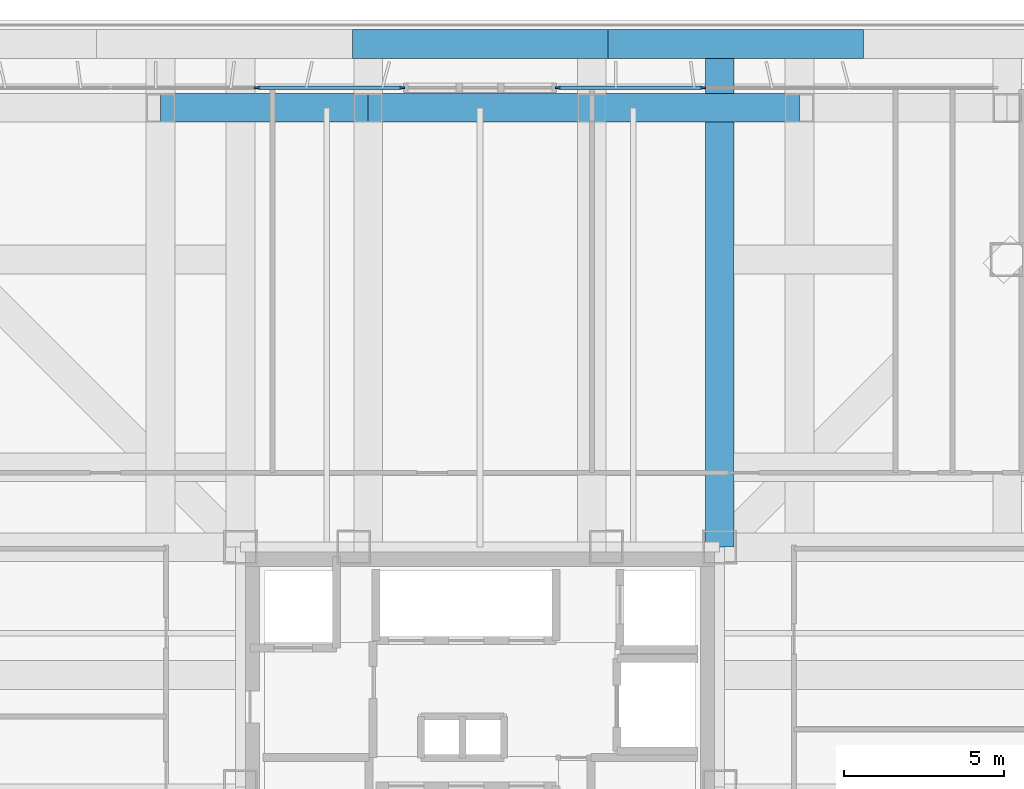
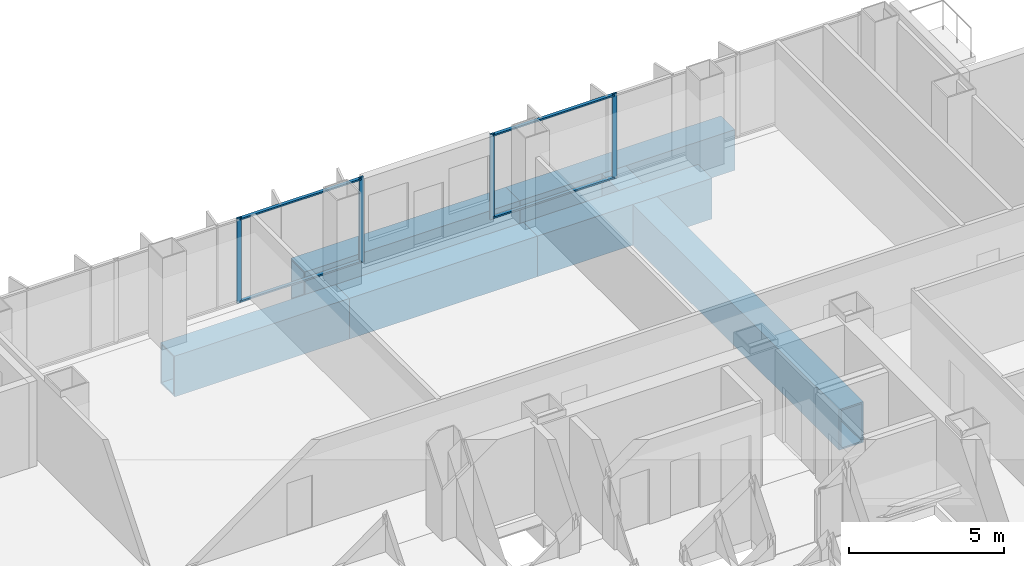
# One storey, part 9 of 17: 8 members, 6 beams, 2 elements without a shape of their own.
"""IFC4 building model written with IfcOpenShell, lengths in metres."""

import ifcopenshell
import ifcopenshell.guid

model = None  # the IFC model being written
_history = None  # IfcOwnerHistory: only IFC2X3 demands one
_inside = {}  # id of a spatial element -> (the spatial element, [elements in it])
_under = {}  # id of a project, library or spatial element -> (it, [spatial elements below it])
_declared = {}  # id of a project -> (the project, [libraries it declares])
_typed = {}  # id of a type object -> (the type object, [elements of that type])
_made_of = {}  # id of a material, layer set ... -> (it, [elements and type objects made of it])


def new_model(schema):
    """Start an empty IFC model of exactly this schema.

    Asked for "IFC4X3", IfcOpenShell would pick the latest addendum, in which some entities
    have other attributes; the version numbers below select the first issue.
    IFC2X3 requires an IfcOwnerHistory on every rooted entity: one is made here for all.
    """
    global model, _history
    if schema == "IFC4X3":
        model = ifcopenshell.file(schema_version=(4, 3, 0, 0))
    else:
        model = ifcopenshell.file(schema=schema)
    _inside.clear()
    _under.clear()
    _declared.clear()
    _typed.clear()
    _made_of.clear()
    _history = None
    if model.schema == "IFC2X3":
        org = make("IfcOrganization", Name="unknown")
        user = make(
            "IfcPersonAndOrganization",
            ThePerson=make("IfcPerson", FamilyName="unknown"),
            TheOrganization=org,
        )
        app = make(
            "IfcApplication",
            ApplicationDeveloper=org,
            Version="unknown",
            ApplicationFullName="unknown",
            ApplicationIdentifier="unknown",
        )
        _history = make(
            "IfcOwnerHistory",
            OwningUser=user,
            OwningApplication=app,
            ChangeAction="ADDED",
            CreationDate=0,
        )
    return model


def make(cls, **values):
    """One entity of the class cls with the attributes given. An attribute that is None is left unset."""
    return model.create_entity(
        cls, **{name: value for name, value in values.items() if value is not None}
    )


def rooted(cls, **values):
    """An entity with a GlobalId (a new one), such as an element, a storey or a relation."""
    return make(cls, GlobalId=ifcopenshell.guid.new(), OwnerHistory=_history, **values)


def si_unit(unit_type, name, prefix=None):
    """IfcSIUnit, for example si_unit("LENGTHUNIT", "METRE", prefix="MILLI")."""
    return make("IfcSIUnit", UnitType=unit_type, Prefix=prefix, Name=name)


def assignment(units):
    """IfcUnitAssignment: the units of a project."""
    return None if units is None else make("IfcUnitAssignment", Units=units)


def point(xyz):
    """IfcCartesianPoint."""
    return None if xyz is None else make("IfcCartesianPoint", Coordinates=xyz)


def direction(xyz):
    """IfcDirection."""
    return None if xyz is None else make("IfcDirection", DirectionRatios=xyz)


def frame(location, z_axis=None, x_axis=None):
    """IfcAxis2Placement3D, a coordinate frame: its origin and axes. An axis left out is left unset."""
    return make(
        "IfcAxis2Placement3D",
        Location=point(location),
        Axis=direction(z_axis),
        RefDirection=direction(x_axis),
    )


def frame_2d(location, x_axis=None):
    """IfcAxis2Placement2D, a coordinate frame in the plane: its origin and x axis."""
    return make(
        "IfcAxis2Placement2D", Location=point(location), RefDirection=direction(x_axis)
    )


def origin():
    """The frame at (0, 0, 0) with its axes left unset."""
    return frame((0.0, 0.0, 0.0))


def origin_2d():
    """The frame at (0, 0) in the plane with its x axis left unset."""
    return frame_2d((0.0, 0.0))


def place(relative_to, where):
    """IfcLocalPlacement: puts the frame where relative to a parent placement (None: the world)."""
    return make(
        "IfcLocalPlacement", PlacementRelTo=relative_to, RelativePlacement=where
    )


def context(
    kind, dimensions, precision=None, world=None, true_north=None, identifier=None
):
    """IfcGeometricRepresentationContext, for example the 3D "Model" context."""
    return make(
        "IfcGeometricRepresentationContext",
        ContextIdentifier=identifier,
        ContextType=kind,
        CoordinateSpaceDimension=dimensions,
        Precision=precision,
        WorldCoordinateSystem=world,
        TrueNorth=true_north,
    )


def subcontext(parent, identifier, kind, view, scale=None):
    """IfcGeometricRepresentationSubContext, for example "Body" below "Model"."""
    return make(
        "IfcGeometricRepresentationSubContext",
        ContextIdentifier=identifier,
        ContextType=kind,
        ParentContext=parent,
        TargetScale=scale,
        TargetView=view,
    )


def project(units=None, contexts=None):
    """IfcProject with its units and contexts."""
    return rooted(
        "IfcProject",
        Name="project",
        RepresentationContexts=contexts,
        UnitsInContext=assignment(units),
    )


def spatial(cls, under=None, at=None, **own):
    """A site, building, storey or space (cls), placed at a placement, below another one or the project."""
    s = rooted(cls, ObjectPlacement=at, **own)
    if under is not None:
        _under.setdefault(under.id(), (under, []))[1].append(s)
    return s


def profile(cls, at=None, kind="AREA", **sizes):
    """A parametric profile (cls). Its sizes go by their IFC names, for example OverallWidth=200.0."""
    return make(cls, ProfileType=kind, Position=at, **sizes)


def rectangle(**sizes):
    """IfcRectangleProfileDef."""
    return profile("IfcRectangleProfileDef", **sizes)


def hollow_rectangle(**sizes):
    """IfcRectangleHollowProfileDef."""
    return profile("IfcRectangleHollowProfileDef", **sizes)


def extrude(swept, where, along, depth):
    """IfcExtrudedAreaSolid: the profile swept, set in the frame where, extruded along a direction by depth."""
    return make(
        "IfcExtrudedAreaSolid",
        SweptArea=swept,
        Position=where,
        ExtrudedDirection=direction(along),
        Depth=depth,
    )


def shape(context_of_items, identifier, shape_type, items):
    """IfcShapeRepresentation: the items that make up one representation, for example the "Body"."""
    return make(
        "IfcShapeRepresentation",
        ContextOfItems=context_of_items,
        RepresentationIdentifier=identifier,
        RepresentationType=shape_type,
        Items=items,
    )


def material(Name=None, Category=None):
    """IfcMaterial."""
    return make("IfcMaterial", Name=Name, Category=Category)


def layer(
    of_material, thickness, ventilated=None, Name=None, Category=None, Priority=None
):
    """IfcMaterialLayer: one layer of a wall or slab, of a material (None: an air gap)."""
    return make(
        "IfcMaterialLayer",
        Material=of_material,
        LayerThickness=thickness,
        IsVentilated=ventilated,
        Name=Name,
        Category=Category,
        Priority=Priority,
    )


def layer_set(layers, Name=None):
    """IfcMaterialLayerSet."""
    return make("IfcMaterialLayerSet", MaterialLayers=layers, LayerSetName=Name)


def material_profile(
    of_material, cross_section, Name=None, Category=None, Priority=None
):
    """IfcMaterialProfile: a cross section and its material."""
    return make(
        "IfcMaterialProfile",
        Name=Name,
        Material=of_material,
        Profile=cross_section,
        Priority=Priority,
        Category=Category,
    )


def profile_set(profiles, Name=None, composite=None):
    """IfcMaterialProfileSet."""
    return make(
        "IfcMaterialProfileSet",
        Name=Name,
        MaterialProfiles=profiles,
        CompositeProfile=composite,
    )


def made_of(thing, what):
    """Note that an element or type object is made of a material, layer set ...; save() writes the relation."""
    if what is not None:
        _made_of.setdefault(what.id(), (what, []))[1].append(thing)
    return thing


def type_object(cls, material=None, **own):
    """A type object (cls), such as IfcWallType, which elements share."""
    return made_of(rooted(cls, **own), material)


def element(
    cls,
    number,
    at=None,
    inside=None,
    cuts=None,
    type_object=None,
    material=None,
    context=None,
    identifier="Body",
    shape_type=None,
    held_by="IfcProductDefinitionShape",
    body=None,
    shapes=None,
    **own,
):
    """One element of the class cls, such as IfcWall. Its Tag is "e" and its number.

    at: its placement. inside: the storey or other place that contains it. cuts: it is an
    opening in that element (IfcRelVoidsElement). A single representation is given by context,
    identifier, shape_type and body (its items); several are given by shapes. held_by: the class
    of the entity that holds the representations. save() writes the other relations.
    """
    e = rooted(cls, Tag="e%d" % number, ObjectPlacement=at, **own)
    if body is not None:
        shapes = [shape(context, identifier, shape_type, body)]
    if shapes is not None:
        e.Representation = make(held_by, Representations=shapes)
    if inside is not None:
        _inside.setdefault(inside.id(), (inside, []))[1].append(e)
    if cuts is not None:
        rooted(
            "IfcRelVoidsElement", RelatingBuildingElement=cuts, RelatedOpeningElement=e
        )
    if type_object is not None:
        _typed.setdefault(type_object.id(), (type_object, []))[1].append(e)
    return made_of(e, material)


def aggregate(whole, parts):
    """IfcRelAggregates: a whole, such as a stair, and the parts it consists of."""
    return rooted("IfcRelAggregates", RelatingObject=whole, RelatedObjects=parts)


def save(model, path):
    """Write the relations noted so far, then the file.

    IfcRelAggregates (storeys below a building ...), IfcRelContainedInSpatialStructure (elements
    in a storey), IfcRelDefinesByType, IfcRelAssociatesMaterial and IfcRelDeclares: one each for
    every whole, place, type object, material and project.
    """
    for whole, parts in _under.values():
        aggregate(whole, parts)
    for where, things in _inside.values():
        rooted(
            "IfcRelContainedInSpatialStructure",
            RelatedElements=things,
            RelatingStructure=where,
        )
    for kind, things in _typed.values():
        rooted("IfcRelDefinesByType", RelatedObjects=things, RelatingType=kind)
    for what, things in _made_of.values():
        rooted("IfcRelAssociatesMaterial", RelatedObjects=things, RelatingMaterial=what)
    for by, libraries in _declared.values():
        rooted("IfcRelDeclares", RelatingContext=by, RelatedDefinitions=libraries)
    model.write(path)


model = new_model("IFC4")

# Units and contexts
model_context = context("Model", 3, precision=1e-05, world=origin(), true_north=direction((0.0, 1.0)))
body_context = subcontext(model_context, "Body", "Model", "MODEL_VIEW")
ifc_project = project(units=[si_unit("LENGTHUNIT", "METRE"), si_unit("AREAUNIT", "SQUARE_METRE"), si_unit("VOLUMEUNIT", "CUBIC_METRE"), si_unit("PLANEANGLEUNIT", "RADIAN"), si_unit("MASSUNIT", "GRAM", prefix="KILO")], contexts=[model_context])

# Site, building, storey
site_placement = place(None, origin())
site = spatial("IfcSite", under=ifc_project, at=site_placement, CompositionType="ELEMENT")
building_placement = place(site_placement, origin())
building = spatial("IfcBuilding", under=site, at=building_placement, Name="Trevonay Congress Spire", CompositionType="ELEMENT")
storey_placement = place(building_placement, frame((0.0, 0.0, 94.0)))
storey = spatial("IfcBuildingStorey", under=building, at=storey_placement, Name="L23", CompositionType="ELEMENT", Elevation=94.0)

# Beams
ifc_material_1 = material(Name="Steel ASTM A572 Grade 50", Category="steel")
ifc_material_profile_1 = material_profile(ifc_material_1, hollow_rectangle(XDim=0.89990234375, YDim=1.60009765625, WallThickness=0.06005859375, at=origin_2d()), Name="BOX 1600x900x60")
ifc_profile_set_1 = profile_set([ifc_material_profile_1], Name="Steel ASTM A572 Grade 50")
beam_type_1 = type_object("IfcBeamType", Name="BM-RING-BOX1600", PredefinedType="BEAM", material=ifc_profile_set_1)
beam_1_placement = place(storey_placement, frame((-10.0, 21.25, -1.199951171875), z_axis=(1.0, 0.0, 0.0), x_axis=(0.0, 1.0, 0.0)))
element("IfcBeam", 1, at=beam_1_placement, inside=storey, type_object=beam_type_1, Name="L23 structural beam BM-L23-PN2", PredefinedType="BEAM", context=body_context, shape_type="SweptSolid", body=[
    extrude(hollow_rectangle(XDim=0.89990234375, YDim=1.60009765625, WallThickness=0.06005859375, at=origin_2d()), origin(), (0.0, 0.0, 1.0), 6.5),
])
beam_2_placement = place(storey_placement, frame((-3.5, 21.25, -1.199951171875), z_axis=(1.0, 0.0, 0.0), x_axis=(0.0, 1.0, 0.0)))
element("IfcBeam", 2, at=beam_2_placement, inside=storey, type_object=beam_type_1, Name="L23 structural beam BM-L23-PN3", PredefinedType="BEAM", context=body_context, shape_type="SweptSolid", body=[
    extrude(hollow_rectangle(XDim=0.89990234375, YDim=1.60009765625, WallThickness=0.06005859375, at=origin_2d()), origin(), (0.0, 0.0, 1.0), 7.0),
])
beam_3_placement = place(storey_placement, frame((3.5, 21.25, -1.199951171875), z_axis=(1.0, 0.0, 0.0), x_axis=(0.0, 1.0, 0.0)))
element("IfcBeam", 3, at=beam_3_placement, inside=storey, type_object=beam_type_1, Name="L23 structural beam BM-L23-PN4", PredefinedType="BEAM", context=body_context, shape_type="SweptSolid", body=[
    extrude(hollow_rectangle(XDim=0.89990234375, YDim=1.60009765625, WallThickness=0.06005859375, at=origin_2d()), origin(), (0.0, 0.0, 1.0), 6.5),
])
for number, where, z_axis, x_axis, name in (
    (4, (-4.0, 23.25, -1.199951171875), (1.0, 0.0, 0.0), (0.0, 1.0, 0.0), "L23 structural beam XOUT-L23-N2"),
    (5, (4.0, 23.25, -1.199951171875), (1.0, 0.0, 0.0), (0.0, 1.0, 0.0), "L23 structural beam XOUT-L23-N3"),
):
    element("IfcBeam", number, at=place(storey_placement, frame(where, z_axis=z_axis, x_axis=x_axis)), inside=storey, type_object=beam_type_1, Name=name, PredefinedType="BEAM", context=body_context, shape_type="SweptSolid", body=[
        extrude(hollow_rectangle(XDim=0.89990234375, YDim=1.60009765625, WallThickness=0.06005859375, at=origin_2d()), origin(), (0.0, 0.0, 1.0), 8.0),
    ])
ifc_material_profile_2 = material_profile(ifc_material_1, hollow_rectangle(XDim=0.89990234375, YDim=1.60009765625, WallThickness=0.06005859375, at=origin_2d()), Name="BOX 1600x900x60")
ifc_profile_set_2 = profile_set([ifc_material_profile_2], Name="Steel ASTM A572 Grade 50")
beam_type_2 = type_object("IfcBeamType", Name="BM-XFER-BOX1600", PredefinedType="BEAM", material=ifc_profile_set_2)
beam_4_placement = place(storey_placement, frame((7.5, 7.5, -1.199951171875), z_axis=(0.0, 1.0, 0.0), x_axis=(-1.0, 0.0, 0.0)))
element("IfcBeam", 6, at=beam_4_placement, inside=storey, type_object=beam_type_2, Name="L23 structural beam XSPN-L23-CY-NE", PredefinedType="BEAM", context=body_context, shape_type="SweptSolid", body=[
    extrude(hollow_rectangle(XDim=0.89990234375, YDim=1.60009765625, WallThickness=0.06005859375, at=origin_2d()), origin(), (0.0, 0.0, 1.0), 15.75),
])

# Curtain wall, members
ifc_material_2 = material(Name="Pale Anodised Aluminium EN AW-6063-T6", Category="aluminium")
ifc_layer = layer(ifc_material_2, 0.175048828125, Name="Pale Anodised Aluminium EN AW-6063-T6")
ifc_layer_set = layer_set([ifc_layer], Name="Pale Anodised Aluminium EN AW-6063-T6")
curtain_wall_type = type_object("IfcCurtainWallType", Name="CW-SYS03-CONGRESS-PALE-METAL", PredefinedType="NOTDEFINED", material=ifc_layer_set)
curtain_wall_1_placement = place(storey_placement, origin())
curtain_wall_1 = element("IfcCurtainWall", 7, at=curtain_wall_1_placement, inside=storey, type_object=curtain_wall_type, Name="L23 NA unitised curtain wall", PredefinedType="NOTDEFINED")
ifc_material_profile_3 = material_profile(ifc_material_2, rectangle(XDim=0.06005859375, YDim=0.159912109375, at=origin_2d()), Name="CW-MULLION-160-ALUMINIUM")
ifc_profile_set_3 = profile_set([ifc_material_profile_3], Name="Pale Anodised Aluminium EN AW-6063-T6")
member_type_1 = type_object("IfcMemberType", Name="CW-MULLION-160-ALUMINIUM", PredefinedType="MULLION", material=ifc_profile_set_3)
member_1_placement = place(storey_placement, frame((-6.9833984375, 21.8798828125, 0.0), z_axis=(0.0, 0.0, 1.0), x_axis=(0.0, 1.0, 0.0)))
member_1 = element("IfcMember", 8, at=member_1_placement, type_object=member_type_1, Name="CW03 mullion 3", PredefinedType="MULLION", context=body_context, shape_type="SweptSolid", body=[
    extrude(rectangle(XDim=0.06005859375, YDim=0.159912109375, at=origin_2d()), origin(), (0.0, 0.0, 1.0), 3.360107421875),
])
member_2_placement = place(storey_placement, frame((-2.429931640625, 21.8798828125, 0.0), z_axis=(0.0, 0.0, 1.0), x_axis=(0.0, 1.0, 0.0)))
member_2 = element("IfcMember", 9, at=member_2_placement, type_object=member_type_1, Name="CW03 mullion 4", PredefinedType="MULLION", context=body_context, shape_type="SweptSolid", body=[
    extrude(rectangle(XDim=0.06005859375, YDim=0.159912109375, at=origin_2d()), origin(), (0.0, 0.0, 1.0), 3.360107421875),
])

curtain_wall_2_placement = place(storey_placement, origin())
curtain_wall_2 = element("IfcCurtainWall", 10, at=curtain_wall_2_placement, inside=storey, type_object=curtain_wall_type, Name="L23 NB unitised curtain wall", PredefinedType="NOTDEFINED")
member_3_placement = place(storey_placement, frame((2.429931640625, 21.8798828125, 0.0), z_axis=(0.0, 0.0, 1.0), x_axis=(0.0, 1.0, 0.0)))
member_3 = element("IfcMember", 11, at=member_3_placement, type_object=member_type_1, Name="CW03 mullion 1", PredefinedType="MULLION", context=body_context, shape_type="SweptSolid", body=[
    extrude(rectangle(XDim=0.06005859375, YDim=0.159912109375, at=origin_2d()), origin(), (0.0, 0.0, 1.0), 3.360107421875),
])
member_4_placement = place(storey_placement, frame((6.9833984375, 21.8798828125, 0.0), z_axis=(0.0, 0.0, 1.0), x_axis=(0.0, 1.0, 0.0)))
member_4 = element("IfcMember", 12, at=member_4_placement, type_object=member_type_1, Name="CW03 mullion 2", PredefinedType="MULLION", context=body_context, shape_type="SweptSolid", body=[
    extrude(rectangle(XDim=0.06005859375, YDim=0.159912109375, at=origin_2d()), origin(), (0.0, 0.0, 1.0), 3.360107421875),
])

# Member
ifc_material_profile_4 = material_profile(ifc_material_2, rectangle(XDim=0.1201171875, YDim=0.06005859375, at=origin_2d()), Name="CW-TRANSOM-120-ALUMINIUM")
ifc_profile_set_4 = profile_set([ifc_material_profile_4], Name="Pale Anodised Aluminium EN AW-6063-T6")
member_type_2 = type_object("IfcMemberType", Name="CW-TRANSOM-120-ALUMINIUM", PredefinedType="USERDEFINED", material=ifc_profile_set_4)
member_5_placement = place(storey_placement, frame((-6.953369140625, 21.8798828125, 0.06005859375), z_axis=(1.0, 0.0, 0.0), x_axis=(0.0, 1.0, 0.0)))
member_5 = element("IfcMember", 13, at=member_5_placement, type_object=member_type_2, Name="CW03 transom 3.1", ObjectType="TRANSOM", PredefinedType="USERDEFINED", context=body_context, shape_type="SweptSolid", body=[
    extrude(rectangle(XDim=0.1201171875, YDim=0.06005859375, at=origin_2d()), origin(), (0.0, 0.0, 1.0), 4.493408203125),
])

member_6_placement = place(storey_placement, frame((-6.953369140625, 21.8798828125, 3.300048828125), z_axis=(1.0, 0.0, 0.0), x_axis=(0.0, 1.0, 0.0)))
member_6 = element("IfcMember", 14, at=member_6_placement, type_object=member_type_2, Name="CW03 transom 3.2", ObjectType="TRANSOM", PredefinedType="USERDEFINED", context=body_context, shape_type="SweptSolid", body=[
    extrude(rectangle(XDim=0.1201171875, YDim=0.06005859375, at=origin_2d()), origin(), (0.0, 0.0, 1.0), 4.493408203125),
])

aggregate(curtain_wall_1, [member_1, member_2, member_5, member_6])

member_7_placement = place(storey_placement, frame((2.4599609375, 21.8798828125, 0.06005859375), z_axis=(1.0, 0.0, 0.0), x_axis=(0.0, 1.0, 0.0)))
member_7 = element("IfcMember", 15, at=member_7_placement, type_object=member_type_2, Name="CW03 transom 1.1", ObjectType="TRANSOM", PredefinedType="USERDEFINED", context=body_context, shape_type="SweptSolid", body=[
    extrude(rectangle(XDim=0.1201171875, YDim=0.06005859375, at=origin_2d()), origin(), (0.0, 0.0, 1.0), 4.493408203125),
])

member_8_placement = place(storey_placement, frame((2.4599609375, 21.8798828125, 3.300048828125), z_axis=(1.0, 0.0, 0.0), x_axis=(0.0, 1.0, 0.0)))
member_8 = element("IfcMember", 16, at=member_8_placement, type_object=member_type_2, Name="CW03 transom 1.2", ObjectType="TRANSOM", PredefinedType="USERDEFINED", context=body_context, shape_type="SweptSolid", body=[
    extrude(rectangle(XDim=0.1201171875, YDim=0.06005859375, at=origin_2d()), origin(), (0.0, 0.0, 1.0), 4.493408203125),
])

aggregate(curtain_wall_2, [member_3, member_4, member_7, member_8])

save(model, "model.ifc")
